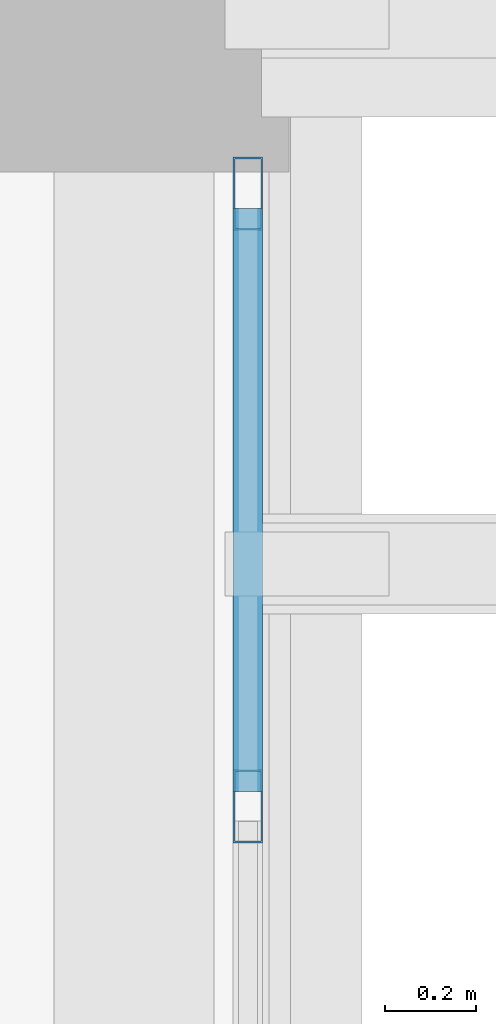
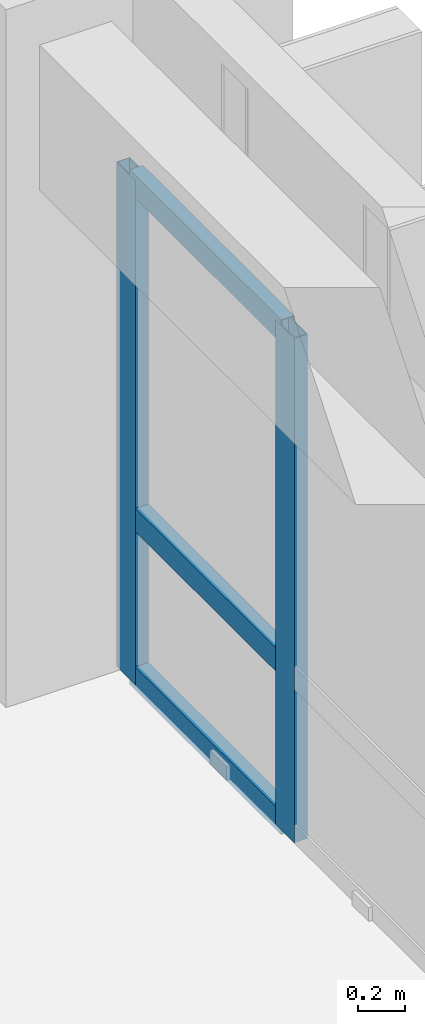
# One storey, part 16 of 53: 5 members, 1 element without a shape of its own.
"""IFC4 building model written with IfcOpenShell, lengths in metres."""

from ifc_helpers import new_model, si_unit, direction, frame, origin, origin_2d, place, context, subcontext, project, spatial, hollow_rectangle, extrude, material, layer, layer_set, material_profile, profile_set, type_object, element, aggregate, save


model = new_model("IFC4")

# Units and contexts
model_context = context("Model", 3, precision=1e-05, world=origin(), true_north=direction((0.0, 1.0)))
body_context = subcontext(model_context, "Body", "Model", "MODEL_VIEW")
ifc_project = project(units=[si_unit("LENGTHUNIT", "METRE"), si_unit("AREAUNIT", "SQUARE_METRE"), si_unit("VOLUMEUNIT", "CUBIC_METRE"), si_unit("PLANEANGLEUNIT", "RADIAN"), si_unit("MASSUNIT", "GRAM", prefix="KILO")], contexts=[model_context])

# Site, building, storey
site_placement = place(None, origin())
site = spatial("IfcSite", under=ifc_project, at=site_placement, CompositionType="ELEMENT")
building_placement = place(site_placement, origin())
building = spatial("IfcBuilding", under=site, at=building_placement, Name="Nakhvara Creek Congress Hotel", CompositionType="ELEMENT")
storey_placement = place(building_placement, frame((0.0, 0.0, 35.39990234375)))
storey = spatial("IfcBuildingStorey", under=building, at=storey_placement, Name="L08", CompositionType="ELEMENT", Elevation=35.39990234375)

# Curtain wall, members
ifc_material_1 = material(Name="Bronze-anodised aluminium AW-6063-T6 and double-silver low-E glass", Category="aluminium")
ifc_layer = layer(ifc_material_1, 0.199951171875)
ifc_layer_set = layer_set([ifc_layer], Name="Bronze-anodised aluminium AW-6063-T6 and double-silver low-E glass")
curtain_wall_type = type_object("IfcCurtainWallType", Name="CW-HTL-UNIT", PredefinedType="USERDEFINED", material=ifc_layer_set)
curtain_wall_placement = place(storey_placement, origin())
curtain_wall = element("IfcCurtainWall", 1, at=curtain_wall_placement, inside=storey, type_object=curtain_wall_type, Name="Curtain Wall CW281", ObjectType="UNITISED", PredefinedType="USERDEFINED")
ifc_material_2 = material(Name="Bronze-anodised aluminium AW-6063-T6", Category="aluminium")
ifc_material_profile_1 = material_profile(ifc_material_2, hollow_rectangle(XDim=0.06494140625, YDim=0.159912109375, WallThickness=0.00390625, at=origin_2d()), Name="ALU-MULL 65x160x4", Category="LoadBearing")
ifc_profile_set_1 = profile_set([ifc_material_profile_1], Name="Bronze-anodised aluminium AW-6063-T6")
member_type_1 = type_object("IfcMemberType", Name="CW-MULL-160", PredefinedType="MULLION", material=ifc_profile_set_1)
member_1_placement = place(storey_placement, frame((179.60009765625, 76.41259765625, 0.0), z_axis=(0.0, 0.0, 1.0), x_axis=(1.0, 0.0, 0.0)))
member_1 = element("IfcMember", 2, at=member_1_placement, type_object=member_type_1, Name="CW281 mullion 1", PredefinedType="MULLION", context=body_context, shape_type="SweptSolid", body=[
    extrude(hollow_rectangle(XDim=0.06494140625, YDim=0.159912109375, WallThickness=0.00390625, at=origin_2d()), origin(), (0.0, 0.0, 1.0), 2.60205078125),
])
member_2_placement = place(storey_placement, frame((179.60009765625, 75.068359375, 0.0), z_axis=(0.0, 0.0, 1.0), x_axis=(1.0, 0.0, 0.0)))
member_2 = element("IfcMember", 3, at=member_2_placement, type_object=member_type_1, Name="CW281 mullion 2", PredefinedType="MULLION", context=body_context, shape_type="SweptSolid", body=[
    extrude(hollow_rectangle(XDim=0.06494140625, YDim=0.159912109375, WallThickness=0.00390625, at=origin_2d()), origin(), (0.0, 0.0, 1.0), 2.60205078125),
])
ifc_material_profile_2 = material_profile(ifc_material_2, hollow_rectangle(XDim=0.06494140625, YDim=0.1201171875, WallThickness=0.00390625, at=origin_2d()), Name="ALU-TRAN 65x120x4", Category="LoadBearing")
ifc_profile_set_2 = profile_set([ifc_material_profile_2], Name="Bronze-anodised aluminium AW-6063-T6")
member_type_2 = type_object("IfcMemberType", Name="CW-TRAN-120", PredefinedType="USERDEFINED", material=ifc_profile_set_2)
member_3_placement = place(storey_placement, frame((179.60009765625, 76.3798828125, 0.03271484375), z_axis=(0.0, -1.0, 0.0), x_axis=(1.0, 0.0, 0.0)))
member_3 = element("IfcMember", 4, at=member_3_placement, type_object=member_type_2, Name="CW281 transom 1.1", ObjectType="TRANSOM", PredefinedType="USERDEFINED", context=body_context, shape_type="SweptSolid", body=[
    extrude(hollow_rectangle(XDim=0.06494140625, YDim=0.1201171875, WallThickness=0.00390625, at=origin_2d()), origin(), (0.0, 0.0, 1.0), 1.279052734375),
])
member_4_placement = place(storey_placement, frame((179.60009765625, 76.3798828125, 0.85009765625), z_axis=(0.0, -1.0, 0.0), x_axis=(1.0, 0.0, 0.0)))
member_4 = element("IfcMember", 5, at=member_4_placement, type_object=member_type_2, Name="CW281 transom 1.2", ObjectType="TRANSOM", PredefinedType="USERDEFINED", context=body_context, shape_type="SweptSolid", body=[
    extrude(hollow_rectangle(XDim=0.06494140625, YDim=0.1201171875, WallThickness=0.00390625, at=origin_2d()), origin(), (0.0, 0.0, 1.0), 1.279052734375),
])
member_5_placement = place(storey_placement, frame((179.60009765625, 76.3798828125, 2.569580078125), z_axis=(0.0, -1.0, 0.0), x_axis=(1.0, 0.0, 0.0)))
member_5 = element("IfcMember", 6, at=member_5_placement, type_object=member_type_2, Name="CW281 transom 1.3", ObjectType="TRANSOM", PredefinedType="USERDEFINED", context=body_context, shape_type="SweptSolid", body=[
    extrude(hollow_rectangle(XDim=0.06494140625, YDim=0.1201171875, WallThickness=0.00390625, at=origin_2d()), origin(), (0.0, 0.0, 1.0), 1.279052734375),
])
aggregate(curtain_wall, [member_1, member_2, member_3, member_4, member_5])

save(model, "model.ifc")
